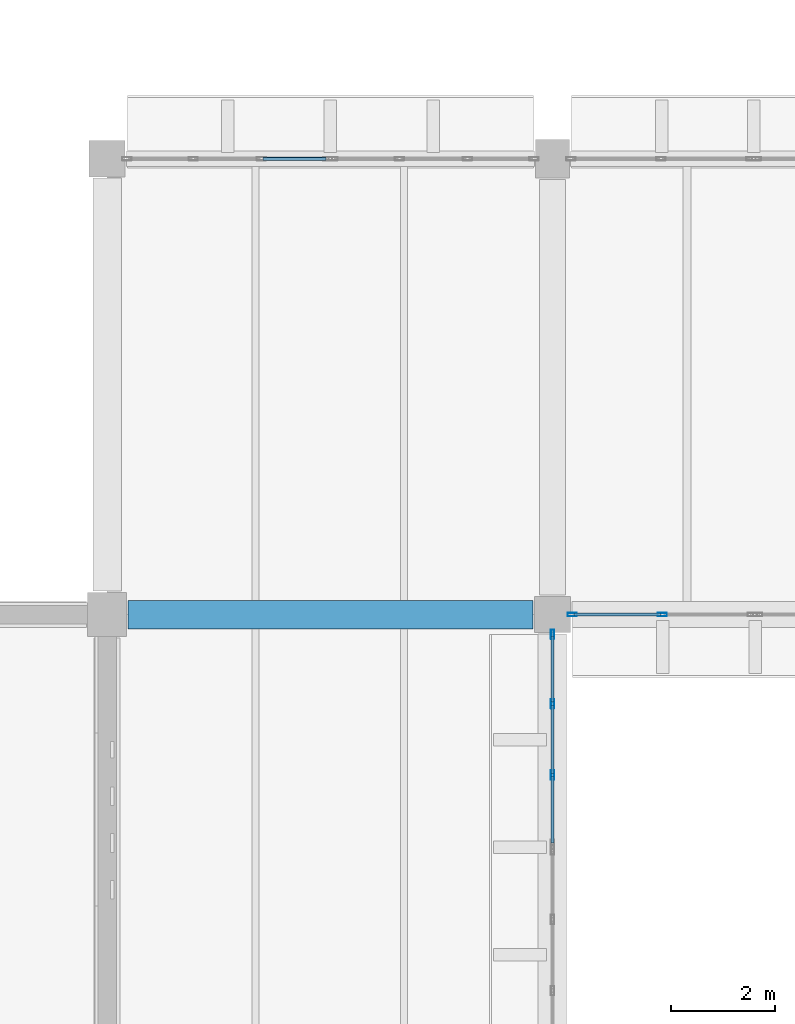
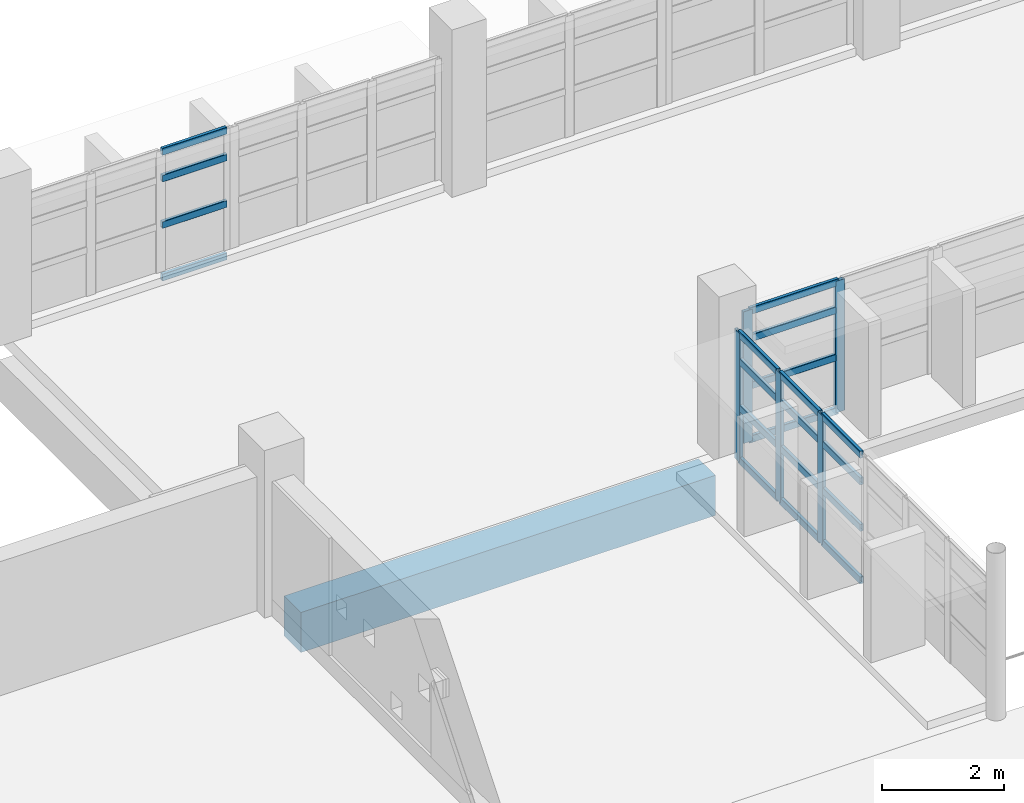
# One storey, part 19 of 75: 25 members, 1 beam, 3 elements without a shape of their own.
"""IFC4 building model written with IfcOpenShell, lengths in metres."""

from ifc_helpers import new_model, si_unit, direction, frame, origin, origin_2d, place, context, subcontext, project, spatial, rectangle, hollow_rectangle, extrude, material, material_profile, profile_set, type_object, element, aggregate, save


model = new_model("IFC4")

# Units and contexts
model_context = context("Model", 3, precision=1e-05, world=origin(), true_north=direction((0.0, 1.0)))
body_context = subcontext(model_context, "Body", "Model", "MODEL_VIEW")
ifc_project = project(units=[si_unit("LENGTHUNIT", "METRE"), si_unit("AREAUNIT", "SQUARE_METRE"), si_unit("VOLUMEUNIT", "CUBIC_METRE"), si_unit("PLANEANGLEUNIT", "RADIAN"), si_unit("MASSUNIT", "GRAM", prefix="KILO")], contexts=[model_context])

# Site, building, storey
site_placement = place(None, origin())
site = spatial("IfcSite", under=ifc_project, at=site_placement, CompositionType="ELEMENT")
building_placement = place(site_placement, origin())
building = spatial("IfcBuilding", under=site, at=building_placement, Name="Varnakota Cinema and Media Centre", CompositionType="ELEMENT")
storey_placement = place(building_placement, frame((0.0, 0.0, 8.39990234375)))
storey = spatial("IfcBuildingStorey", under=building, at=storey_placement, Name="L02", CompositionType="ELEMENT", Elevation=8.39990234375)

# Beam
ifc_material_1 = material(Name="Concrete M35", Category="concrete")
ifc_material_profile_1 = material_profile(ifc_material_1, rectangle(XDim=0.550048828125, YDim=0.800048828125, at=origin_2d()), Name="RCB 550x800")
ifc_profile_set_1 = profile_set([ifc_material_profile_1], Name="Concrete M35")
beam_type = type_object("IfcBeamType", Name="BM-RC-550x800", PredefinedType="BEAM", material=ifc_profile_set_1)
beam_placement = place(storey_placement, frame((43.39990234375, 35.199951171875, -0.64990234375), z_axis=(1.0, 0.0, 0.0), x_axis=(0.0, 1.0, 0.0)))
element("IfcBeam", 1, at=beam_placement, inside=storey, type_object=beam_type, Name="L02 girder F-G/5", PredefinedType="BEAM", context=body_context, shape_type="SweptSolid", body=[
    extrude(rectangle(XDim=0.550048828125, YDim=0.800048828125, at=origin_2d()), origin(), (0.0, 0.0, 1.0), 7.8251953125),
])

# Curtain wall, members
ifc_material_2 = material(Name="Thermally broken anodised aluminium AW-6063", Category="aluminium")
curtain_wall_type_1 = type_object("IfcCurtainWallType", Name="CW-STD-354x262", PredefinedType="USERDEFINED", material=ifc_material_2)
curtain_wall_1_placement = place(storey_placement, origin())
curtain_wall_1 = element("IfcCurtainWall", 2, at=curtain_wall_1_placement, inside=storey, type_object=curtain_wall_type_1, Name="L02 curtain wall CW-L02-LINK-S-W-02-2", ObjectType="UNITISED CURTAIN WALL", PredefinedType="USERDEFINED")
ifc_material_3 = material(Name="Thermally broken anodised aluminium AW-6063", Category="aluminium")
ifc_material_profile_2 = material_profile(ifc_material_3, hollow_rectangle(XDim=0.06494140625, YDim=0.179931640625, WallThickness=0.00390625, InnerFilletRadius=0.00390625, OuterFilletRadius=0.008056640625, at=origin_2d()), Name="AL-MULLION 180x65x4")
ifc_profile_set_2 = profile_set([ifc_material_profile_2], Name="Thermally broken anodised aluminium AW-6063")
member_type_1 = type_object("IfcMemberType", Name="CWM-AL-180", PredefinedType="MULLION", material=ifc_profile_set_2)
member_1_placement = place(storey_placement, frame((53.72119140625, 35.199951171875, 0.0), z_axis=(0.0, 0.0, 1.0), x_axis=(0.0, -1.0, 0.0)))
member_1 = element("IfcMember", 3, at=member_1_placement, type_object=member_type_1, Name="CW33 mullion 2", PredefinedType="MULLION", context=body_context, shape_type="SweptSolid", body=[
    extrude(hollow_rectangle(XDim=0.06494140625, YDim=0.179931640625, WallThickness=0.00390625, InnerFilletRadius=0.00390625, OuterFilletRadius=0.008056640625, at=origin_2d()), origin(), (0.0, 0.0, 1.0), 2.625),
])
member_2_placement = place(storey_placement, frame((51.982421875, 35.199951171875, 0.0), z_axis=(0.0, 0.0, 1.0), x_axis=(0.0, -1.0, 0.0)))
member_2 = element("IfcMember", 4, at=member_2_placement, type_object=member_type_1, Name="CW33 mullion 3", PredefinedType="MULLION", context=body_context, shape_type="SweptSolid", body=[
    extrude(hollow_rectangle(XDim=0.06494140625, YDim=0.179931640625, WallThickness=0.00390625, InnerFilletRadius=0.00390625, OuterFilletRadius=0.008056640625, at=origin_2d()), origin(), (0.0, 0.0, 1.0), 2.625),
])

ifc_material_4 = material(Name="Thermally broken anodised aluminium AW-6063", Category="aluminium")
curtain_wall_type_2 = type_object("IfcCurtainWallType", Name="CW-STD-412x258", PredefinedType="USERDEFINED", material=ifc_material_4)
curtain_wall_2_placement = place(storey_placement, origin())
curtain_wall_2 = element("IfcCurtainWall", 5, at=curtain_wall_2_placement, inside=storey, type_object=curtain_wall_type_2, Name="L02 curtain wall CW-L02-WLINK-E-01-2", ObjectType="UNITISED CURTAIN WALL", PredefinedType="USERDEFINED")
member_3_placement = place(storey_placement, frame((51.60009765625, 32.1005859375, 0.0), z_axis=(0.0, 0.0, 1.0), x_axis=(-1.0, 0.0, 0.0)))
member_3 = element("IfcMember", 6, at=member_3_placement, type_object=member_type_1, Name="CW35 mullion 2", PredefinedType="MULLION", context=body_context, shape_type="SweptSolid", body=[
    extrude(hollow_rectangle(XDim=0.06494140625, YDim=0.179931640625, WallThickness=0.00390625, InnerFilletRadius=0.00390625, OuterFilletRadius=0.008056640625, at=origin_2d()), origin(), (0.0, 0.0, 1.0), 2.5751953125),
])
member_4_placement = place(storey_placement, frame((51.60009765625, 33.475341796875, 0.0), z_axis=(0.0, 0.0, 1.0), x_axis=(-1.0, 0.0, 0.0)))
member_4 = element("IfcMember", 7, at=member_4_placement, type_object=member_type_1, Name="CW35 mullion 3", PredefinedType="MULLION", context=body_context, shape_type="SweptSolid", body=[
    extrude(hollow_rectangle(XDim=0.06494140625, YDim=0.179931640625, WallThickness=0.00390625, InnerFilletRadius=0.00390625, OuterFilletRadius=0.008056640625, at=origin_2d()), origin(), (0.0, 0.0, 1.0), 2.5751953125),
])
member_5_placement = place(storey_placement, frame((51.60009765625, 34.8173828125, 0.0), z_axis=(0.0, 0.0, 1.0), x_axis=(-1.0, 0.0, 0.0)))
member_5 = element("IfcMember", 8, at=member_5_placement, type_object=member_type_1, Name="CW35 mullion 4", PredefinedType="MULLION", context=body_context, shape_type="SweptSolid", body=[
    extrude(hollow_rectangle(XDim=0.06494140625, YDim=0.179931640625, WallThickness=0.00390625, InnerFilletRadius=0.00390625, OuterFilletRadius=0.008056640625, at=origin_2d()), origin(), (0.0, 0.0, 1.0), 2.5751953125),
])

ifc_material_5 = material(Name="Thermally broken anodised aluminium AW-6063", Category="aluminium")
curtain_wall_type_3 = type_object("IfcCurtainWallType", Name="CW-STD-394x258", PredefinedType="USERDEFINED", material=ifc_material_5)
curtain_wall_3_placement = place(storey_placement, origin())
curtain_wall_3 = element("IfcCurtainWall", 9, at=curtain_wall_3_placement, inside=storey, type_object=curtain_wall_type_3, Name="L02 curtain wall CW-L02-LINK-N-01-1", ObjectType="UNITISED CURTAIN WALL", PredefinedType="USERDEFINED")
ifc_material_6 = material(Name="Thermally broken anodised aluminium AW-6063", Category="aluminium")
ifc_material_profile_3 = material_profile(ifc_material_6, hollow_rectangle(XDim=0.06494140625, YDim=0.139892578125, WallThickness=0.00390625, InnerFilletRadius=0.00390625, OuterFilletRadius=0.008056640625, at=origin_2d()), Name="AL-TRANSOM 140x65x4")
ifc_profile_set_3 = profile_set([ifc_material_profile_3], Name="Thermally broken anodised aluminium AW-6063")
member_type_2 = type_object("IfcMemberType", Name="CWT-AL-140", PredefinedType="USERDEFINED", material=ifc_profile_set_3)
member_6_placement = place(storey_placement, frame((46.0107421875, 44.0, 0.03271484375), z_axis=(1.0, 0.0, 0.0), x_axis=(0.0, 1.0, 0.0)))
member_6 = element("IfcMember", 10, at=member_6_placement, type_object=member_type_2, Name="CW30 transom 3.1", ObjectType="TRANSOM", PredefinedType="USERDEFINED", context=body_context, shape_type="SweptSolid", body=[
    extrude(hollow_rectangle(XDim=0.06494140625, YDim=0.139892578125, WallThickness=0.00390625, InnerFilletRadius=0.00390625, OuterFilletRadius=0.008056640625, at=origin_2d()), origin(), (0.0, 0.0, 1.0), 1.216796875),
])
member_7_placement = place(storey_placement, frame((46.0107421875, 44.0, 1.08154296875), z_axis=(1.0, 0.0, 0.0), x_axis=(0.0, 1.0, 0.0)))
member_7 = element("IfcMember", 11, at=member_7_placement, type_object=member_type_2, Name="CW30 transom 3.2", ObjectType="TRANSOM", PredefinedType="USERDEFINED", context=body_context, shape_type="SweptSolid", body=[
    extrude(hollow_rectangle(XDim=0.06494140625, YDim=0.139892578125, WallThickness=0.00390625, InnerFilletRadius=0.00390625, OuterFilletRadius=0.008056640625, at=origin_2d()), origin(), (0.0, 0.0, 1.0), 1.216796875),
])
member_8_placement = place(storey_placement, frame((46.0107421875, 44.0, 2.008544921875), z_axis=(1.0, 0.0, 0.0), x_axis=(0.0, 1.0, 0.0)))
member_8 = element("IfcMember", 12, at=member_8_placement, type_object=member_type_2, Name="CW30 transom 3.3", ObjectType="TRANSOM", PredefinedType="USERDEFINED", context=body_context, shape_type="SweptSolid", body=[
    extrude(hollow_rectangle(XDim=0.06494140625, YDim=0.139892578125, WallThickness=0.00390625, InnerFilletRadius=0.00390625, OuterFilletRadius=0.008056640625, at=origin_2d()), origin(), (0.0, 0.0, 1.0), 1.216796875),
])
member_9_placement = place(storey_placement, frame((46.0107421875, 44.0, 2.54248046875), z_axis=(1.0, 0.0, 0.0), x_axis=(0.0, 1.0, 0.0)))
member_9 = element("IfcMember", 13, at=member_9_placement, type_object=member_type_2, Name="CW30 transom 3.4", ObjectType="TRANSOM", PredefinedType="USERDEFINED", context=body_context, shape_type="SweptSolid", body=[
    extrude(hollow_rectangle(XDim=0.06494140625, YDim=0.139892578125, WallThickness=0.00390625, InnerFilletRadius=0.00390625, OuterFilletRadius=0.008056640625, at=origin_2d()), origin(), (0.0, 0.0, 1.0), 1.216796875),
])
aggregate(curtain_wall_3, [member_6, member_7, member_8, member_9])

# Member
member_10_placement = place(storey_placement, frame((53.688720703125, 35.199951171875, 0.03271484375), z_axis=(-1.0, 0.0, 0.0), x_axis=(0.0, -1.0, 0.0)))
member_10 = element("IfcMember", 14, at=member_10_placement, type_object=member_type_2, Name="CW33 transom 2.1", ObjectType="TRANSOM", PredefinedType="USERDEFINED", context=body_context, shape_type="SweptSolid", body=[
    extrude(hollow_rectangle(XDim=0.06494140625, YDim=0.139892578125, WallThickness=0.00390625, InnerFilletRadius=0.00390625, OuterFilletRadius=0.008056640625, at=origin_2d()), origin(), (0.0, 0.0, 1.0), 1.673828125),
])

member_11_placement = place(storey_placement, frame((53.688720703125, 35.199951171875, 1.1025390625), z_axis=(-1.0, 0.0, 0.0), x_axis=(0.0, -1.0, 0.0)))
member_11 = element("IfcMember", 15, at=member_11_placement, type_object=member_type_2, Name="CW33 transom 2.2", ObjectType="TRANSOM", PredefinedType="USERDEFINED", context=body_context, shape_type="SweptSolid", body=[
    extrude(hollow_rectangle(XDim=0.06494140625, YDim=0.139892578125, WallThickness=0.00390625, InnerFilletRadius=0.00390625, OuterFilletRadius=0.008056640625, at=origin_2d()), origin(), (0.0, 0.0, 1.0), 1.673828125),
])

member_12_placement = place(storey_placement, frame((53.688720703125, 35.199951171875, 2.047607421875), z_axis=(-1.0, 0.0, 0.0), x_axis=(0.0, -1.0, 0.0)))
member_12 = element("IfcMember", 16, at=member_12_placement, type_object=member_type_2, Name="CW33 transom 2.3", ObjectType="TRANSOM", PredefinedType="USERDEFINED", context=body_context, shape_type="SweptSolid", body=[
    extrude(hollow_rectangle(XDim=0.06494140625, YDim=0.139892578125, WallThickness=0.00390625, InnerFilletRadius=0.00390625, OuterFilletRadius=0.008056640625, at=origin_2d()), origin(), (0.0, 0.0, 1.0), 1.673828125),
])

member_13_placement = place(storey_placement, frame((53.688720703125, 35.199951171875, 2.592529296875), z_axis=(-1.0, 0.0, 0.0), x_axis=(0.0, -1.0, 0.0)))
member_13 = element("IfcMember", 17, at=member_13_placement, type_object=member_type_2, Name="CW33 transom 2.4", ObjectType="TRANSOM", PredefinedType="USERDEFINED", context=body_context, shape_type="SweptSolid", body=[
    extrude(hollow_rectangle(XDim=0.06494140625, YDim=0.139892578125, WallThickness=0.00390625, InnerFilletRadius=0.00390625, OuterFilletRadius=0.008056640625, at=origin_2d()), origin(), (0.0, 0.0, 1.0), 1.673828125),
])

aggregate(curtain_wall_1, [member_1, member_2, member_10, member_11, member_12, member_13])

member_14_placement = place(storey_placement, frame((51.60009765625, 30.791015625, 0.03271484375), z_axis=(0.0, 1.0, 0.0), x_axis=(-1.0, 0.0, 0.0)))
member_14 = element("IfcMember", 18, at=member_14_placement, type_object=member_type_2, Name="CW35 transom 1.1", ObjectType="TRANSOM", PredefinedType="USERDEFINED", context=body_context, shape_type="SweptSolid", body=[
    extrude(hollow_rectangle(XDim=0.06494140625, YDim=0.139892578125, WallThickness=0.00390625, InnerFilletRadius=0.00390625, OuterFilletRadius=0.008056640625, at=origin_2d()), origin(), (0.0, 0.0, 1.0), 1.277099609375),
])

member_15_placement = place(storey_placement, frame((51.60009765625, 30.791015625, 1.08154296875), z_axis=(0.0, 1.0, 0.0), x_axis=(-1.0, 0.0, 0.0)))
member_15 = element("IfcMember", 19, at=member_15_placement, type_object=member_type_2, Name="CW35 transom 1.2", ObjectType="TRANSOM", PredefinedType="USERDEFINED", context=body_context, shape_type="SweptSolid", body=[
    extrude(hollow_rectangle(XDim=0.06494140625, YDim=0.139892578125, WallThickness=0.00390625, InnerFilletRadius=0.00390625, OuterFilletRadius=0.008056640625, at=origin_2d()), origin(), (0.0, 0.0, 1.0), 1.277099609375),
])

member_16_placement = place(storey_placement, frame((51.60009765625, 30.791015625, 2.008544921875), z_axis=(0.0, 1.0, 0.0), x_axis=(-1.0, 0.0, 0.0)))
member_16 = element("IfcMember", 20, at=member_16_placement, type_object=member_type_2, Name="CW35 transom 1.3", ObjectType="TRANSOM", PredefinedType="USERDEFINED", context=body_context, shape_type="SweptSolid", body=[
    extrude(hollow_rectangle(XDim=0.06494140625, YDim=0.139892578125, WallThickness=0.00390625, InnerFilletRadius=0.00390625, OuterFilletRadius=0.008056640625, at=origin_2d()), origin(), (0.0, 0.0, 1.0), 1.277099609375),
])

member_17_placement = place(storey_placement, frame((51.60009765625, 30.791015625, 2.54248046875), z_axis=(0.0, 1.0, 0.0), x_axis=(-1.0, 0.0, 0.0)))
member_17 = element("IfcMember", 21, at=member_17_placement, type_object=member_type_2, Name="CW35 transom 1.4", ObjectType="TRANSOM", PredefinedType="USERDEFINED", context=body_context, shape_type="SweptSolid", body=[
    extrude(hollow_rectangle(XDim=0.06494140625, YDim=0.139892578125, WallThickness=0.00390625, InnerFilletRadius=0.00390625, OuterFilletRadius=0.008056640625, at=origin_2d()), origin(), (0.0, 0.0, 1.0), 1.277099609375),
])

member_18_placement = place(storey_placement, frame((51.60009765625, 32.133056640625, 0.03271484375), z_axis=(0.0, 1.0, 0.0), x_axis=(-1.0, 0.0, 0.0)))
member_18 = element("IfcMember", 22, at=member_18_placement, type_object=member_type_2, Name="CW35 transom 2.1", ObjectType="TRANSOM", PredefinedType="USERDEFINED", context=body_context, shape_type="SweptSolid", body=[
    extrude(hollow_rectangle(XDim=0.06494140625, YDim=0.139892578125, WallThickness=0.00390625, InnerFilletRadius=0.00390625, OuterFilletRadius=0.008056640625, at=origin_2d()), origin(), (0.0, 0.0, 1.0), 1.309814453125),
])

member_19_placement = place(storey_placement, frame((51.60009765625, 32.133056640625, 1.08154296875), z_axis=(0.0, 1.0, 0.0), x_axis=(-1.0, 0.0, 0.0)))
member_19 = element("IfcMember", 23, at=member_19_placement, type_object=member_type_2, Name="CW35 transom 2.2", ObjectType="TRANSOM", PredefinedType="USERDEFINED", context=body_context, shape_type="SweptSolid", body=[
    extrude(hollow_rectangle(XDim=0.06494140625, YDim=0.139892578125, WallThickness=0.00390625, InnerFilletRadius=0.00390625, OuterFilletRadius=0.008056640625, at=origin_2d()), origin(), (0.0, 0.0, 1.0), 1.309814453125),
])

member_20_placement = place(storey_placement, frame((51.60009765625, 32.133056640625, 2.008544921875), z_axis=(0.0, 1.0, 0.0), x_axis=(-1.0, 0.0, 0.0)))
member_20 = element("IfcMember", 24, at=member_20_placement, type_object=member_type_2, Name="CW35 transom 2.3", ObjectType="TRANSOM", PredefinedType="USERDEFINED", context=body_context, shape_type="SweptSolid", body=[
    extrude(hollow_rectangle(XDim=0.06494140625, YDim=0.139892578125, WallThickness=0.00390625, InnerFilletRadius=0.00390625, OuterFilletRadius=0.008056640625, at=origin_2d()), origin(), (0.0, 0.0, 1.0), 1.309814453125),
])

member_21_placement = place(storey_placement, frame((51.60009765625, 32.133056640625, 2.54248046875), z_axis=(0.0, 1.0, 0.0), x_axis=(-1.0, 0.0, 0.0)))
member_21 = element("IfcMember", 25, at=member_21_placement, type_object=member_type_2, Name="CW35 transom 2.4", ObjectType="TRANSOM", PredefinedType="USERDEFINED", context=body_context, shape_type="SweptSolid", body=[
    extrude(hollow_rectangle(XDim=0.06494140625, YDim=0.139892578125, WallThickness=0.00390625, InnerFilletRadius=0.00390625, OuterFilletRadius=0.008056640625, at=origin_2d()), origin(), (0.0, 0.0, 1.0), 1.309814453125),
])

member_22_placement = place(storey_placement, frame((51.60009765625, 33.5078125, 0.03271484375), z_axis=(0.0, 1.0, 0.0), x_axis=(-1.0, 0.0, 0.0)))
member_22 = element("IfcMember", 26, at=member_22_placement, type_object=member_type_2, Name="CW35 transom 3.1", ObjectType="TRANSOM", PredefinedType="USERDEFINED", context=body_context, shape_type="SweptSolid", body=[
    extrude(hollow_rectangle(XDim=0.06494140625, YDim=0.139892578125, WallThickness=0.00390625, InnerFilletRadius=0.00390625, OuterFilletRadius=0.008056640625, at=origin_2d()), origin(), (0.0, 0.0, 1.0), 1.277099609375),
])

member_23_placement = place(storey_placement, frame((51.60009765625, 33.5078125, 1.08154296875), z_axis=(0.0, 1.0, 0.0), x_axis=(-1.0, 0.0, 0.0)))
member_23 = element("IfcMember", 27, at=member_23_placement, type_object=member_type_2, Name="CW35 transom 3.2", ObjectType="TRANSOM", PredefinedType="USERDEFINED", context=body_context, shape_type="SweptSolid", body=[
    extrude(hollow_rectangle(XDim=0.06494140625, YDim=0.139892578125, WallThickness=0.00390625, InnerFilletRadius=0.00390625, OuterFilletRadius=0.008056640625, at=origin_2d()), origin(), (0.0, 0.0, 1.0), 1.277099609375),
])

member_24_placement = place(storey_placement, frame((51.60009765625, 33.5078125, 2.008544921875), z_axis=(0.0, 1.0, 0.0), x_axis=(-1.0, 0.0, 0.0)))
member_24 = element("IfcMember", 28, at=member_24_placement, type_object=member_type_2, Name="CW35 transom 3.3", ObjectType="TRANSOM", PredefinedType="USERDEFINED", context=body_context, shape_type="SweptSolid", body=[
    extrude(hollow_rectangle(XDim=0.06494140625, YDim=0.139892578125, WallThickness=0.00390625, InnerFilletRadius=0.00390625, OuterFilletRadius=0.008056640625, at=origin_2d()), origin(), (0.0, 0.0, 1.0), 1.277099609375),
])

member_25_placement = place(storey_placement, frame((51.60009765625, 33.5078125, 2.54248046875), z_axis=(0.0, 1.0, 0.0), x_axis=(-1.0, 0.0, 0.0)))
member_25 = element("IfcMember", 29, at=member_25_placement, type_object=member_type_2, Name="CW35 transom 3.4", ObjectType="TRANSOM", PredefinedType="USERDEFINED", context=body_context, shape_type="SweptSolid", body=[
    extrude(hollow_rectangle(XDim=0.06494140625, YDim=0.139892578125, WallThickness=0.00390625, InnerFilletRadius=0.00390625, OuterFilletRadius=0.008056640625, at=origin_2d()), origin(), (0.0, 0.0, 1.0), 1.277099609375),
])

aggregate(curtain_wall_2, [member_3, member_4, member_5, member_14, member_15, member_16, member_17, member_18, member_19, member_20, member_21, member_22, member_23, member_24, member_25])

save(model, "model.ifc")
